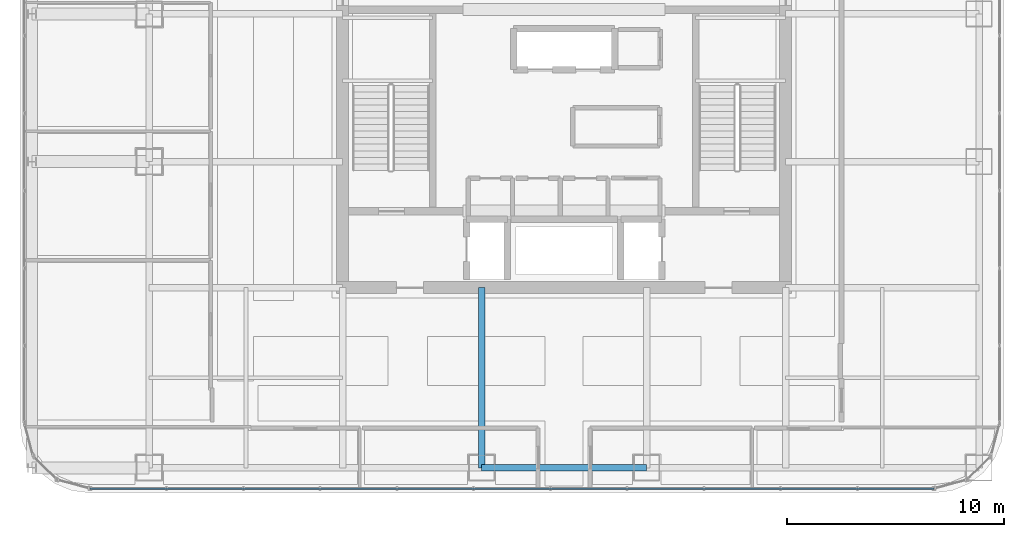
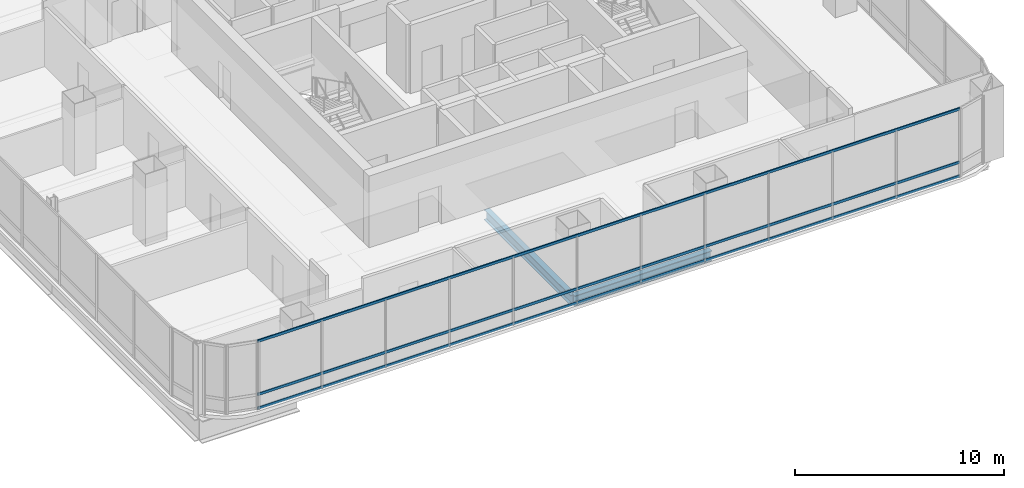
# One storey, part 8 of 42: 3 members, 2 beams, 1 element without a shape of its own.
"""IFC4 building model written with IfcOpenShell, lengths in metres."""

from ifc_helpers import new_model, si_unit, direction, frame, origin, origin_2d, place, context, subcontext, project, spatial, hollow_rectangle, i_section, extrude, material, material_profile, profile_set, type_object, element, aggregate, save


model = new_model("IFC4")

# Units and contexts
model_context = context("Model", 3, precision=1e-05, world=origin(), true_north=direction((0.0, 1.0)))
body_context = subcontext(model_context, "Body", "Model", "MODEL_VIEW")
ifc_project = project(units=[si_unit("LENGTHUNIT", "METRE"), si_unit("AREAUNIT", "SQUARE_METRE"), si_unit("VOLUMEUNIT", "CUBIC_METRE"), si_unit("PLANEANGLEUNIT", "RADIAN"), si_unit("MASSUNIT", "GRAM", prefix="KILO")], contexts=[model_context])

# Site, building, storey
site_placement = place(None, origin())
site = spatial("IfcSite", under=ifc_project, at=site_placement, CompositionType="ELEMENT")
building_placement = place(site_placement, origin())
building = spatial("IfcBuilding", under=site, at=building_placement, Name="Punatoya Terracotta Tower", CompositionType="ELEMENT")
storey_placement = place(building_placement, frame((0.0, 0.0, 296.39990234375)))
storey = spatial("IfcBuildingStorey", under=building, at=storey_placement, Name="L70", CompositionType="ELEMENT", Elevation=296.39990234375)

# Beams
ifc_material_1 = material(Name="Steel S355", Category="steel")
ifc_material_profile_1 = material_profile(ifc_material_1, i_section(OverallWidth=0.300048828125, OverallDepth=0.60009765625, WebThickness=0.015380859375, FlangeThickness=0.030029296875, FilletRadius=0.01806640625, at=origin_2d()))
ifc_profile_set_1 = profile_set([ifc_material_profile_1], Name="Steel S355")
beam_type = type_object("IfcBeamType", Name="BM-PRI-600", PredefinedType="BEAM", material=ifc_profile_set_1)
beam_1_placement = place(storey_placement, frame((-3.800048828125, -17.5, -0.5), z_axis=(1.0, 0.0, 0.0), x_axis=(0.0, 1.0, 0.0)))
element("IfcBeam", 1, at=beam_1_placement, inside=storey, type_object=beam_type, Name="BM-L70-RG-S2", PredefinedType="BEAM", context=body_context, shape_type="SweptSolid", body=[
    extrude(i_section(OverallWidth=0.300048828125, OverallDepth=0.60009765625, WebThickness=0.015380859375, FlangeThickness=0.030029296875, FilletRadius=0.01806640625, at=origin_2d()), origin(), (0.0, 0.0, 1.0), 7.60009765625),
])
beam_2_placement = place(storey_placement, frame((-3.800048828125, -17.5, -0.5), z_axis=(0.0, 1.0, 0.0), x_axis=(-1.0, 0.0, 0.0)))
element("IfcBeam", 2, at=beam_2_placement, inside=storey, type_object=beam_type, Name="BM-L70-PR-S2", PredefinedType="BEAM", context=body_context, shape_type="SweptSolid", body=[
    extrude(i_section(OverallWidth=0.300048828125, OverallDepth=0.60009765625, WebThickness=0.015380859375, FlangeThickness=0.030029296875, FilletRadius=0.01806640625, at=origin_2d()), origin(), (0.0, 0.0, 1.0), 8.300048828125),
])

# Curtain wall, members
ifc_material_2 = material(Name="Aluminium 6063-T6 + Double Low-E Glass", Category="aluminium")
curtain_wall_type = type_object("IfcCurtainWallType", Name="CW-M3", PredefinedType="NOTDEFINED", material=ifc_material_2)
curtain_wall_placement = place(storey_placement, origin())
curtain_wall = element("IfcCurtainWall", 3, at=curtain_wall_placement, inside=storey, type_object=curtain_wall_type, Name="L70 Curtain Wall CW-L70-S01-1", PredefinedType="NOTDEFINED")
ifc_material_3 = material(Name="Aluminium 6063-T6", Category="aluminium")
ifc_material_profile_2 = material_profile(ifc_material_3, hollow_rectangle(XDim=0.068115234375, YDim=0.14990234375, WallThickness=0.00390625, at=origin_2d()))
ifc_profile_set_2 = profile_set([ifc_material_profile_2], Name="Aluminium 6063-T6")
member_type = type_object("IfcMemberType", Name="CW-TRN-TYP", PredefinedType="USERDEFINED", material=ifc_profile_set_2)
member_1_placement = place(storey_placement, frame((-21.8369140625, -18.449951171875, 0.0400390625), z_axis=(1.0, 0.0, 0.0), x_axis=(0.0, 1.0, 0.0)))
member_1 = element("IfcMember", 4, at=member_1_placement, type_object=member_type, Name="CW-L70-S01-1 Transom 1", ObjectType="TRANSOM", PredefinedType="USERDEFINED", context=body_context, shape_type="SweptSolid", body=[
    extrude(hollow_rectangle(XDim=0.068115234375, YDim=0.14990234375, WallThickness=0.00390625, at=origin_2d()), origin(), (0.0, 0.0, 1.0), 38.873779296875),
])
member_2_placement = place(storey_placement, frame((-21.8369140625, -18.449951171875, 0.85009765625), z_axis=(1.0, 0.0, 0.0), x_axis=(0.0, 1.0, 0.0)))
member_2 = element("IfcMember", 5, at=member_2_placement, type_object=member_type, Name="CW-L70-S01-1 Transom 2", ObjectType="TRANSOM", PredefinedType="USERDEFINED", context=body_context, shape_type="SweptSolid", body=[
    extrude(hollow_rectangle(XDim=0.068115234375, YDim=0.14990234375, WallThickness=0.00390625, at=origin_2d()), origin(), (0.0, 0.0, 1.0), 38.873779296875),
])
member_3_placement = place(storey_placement, frame((-21.8369140625, -18.449951171875, 3.960205078125), z_axis=(1.0, 0.0, 0.0), x_axis=(0.0, 1.0, 0.0)))
member_3 = element("IfcMember", 6, at=member_3_placement, type_object=member_type, Name="CW-L70-S01-1 Transom 3", ObjectType="TRANSOM", PredefinedType="USERDEFINED", context=body_context, shape_type="SweptSolid", body=[
    extrude(hollow_rectangle(XDim=0.068115234375, YDim=0.14990234375, WallThickness=0.00390625, at=origin_2d()), origin(), (0.0, 0.0, 1.0), 38.873779296875),
])
aggregate(curtain_wall, [member_1, member_2, member_3])

save(model, "model.ifc")
